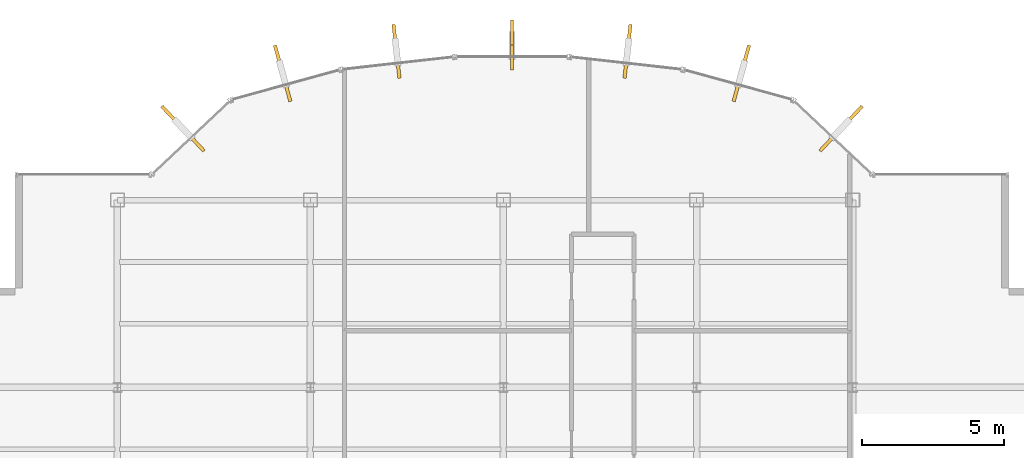
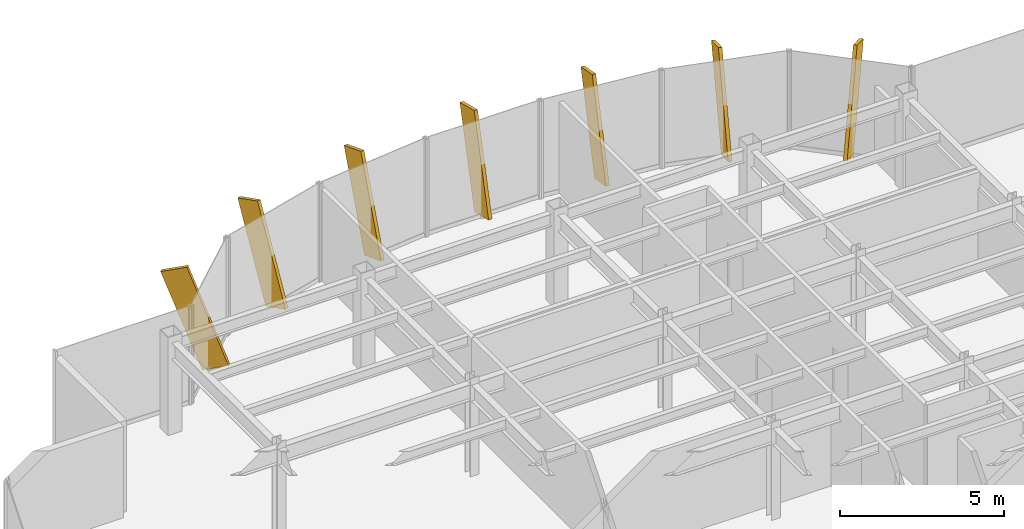
# One storey, part 21 of 22: 7 shading devices.
"""IFC4 building model written with IfcOpenShell, lengths in metres."""

from ifc_helpers import new_model, si_unit, derived_unit, direction, frame, origin, origin_2d, place, context, subcontext, project, spatial, rectangle, extrude, source, transform, mapped, material, type_object, element, save


model = new_model("IFC4")

# Units and contexts
model_context = context("Model", 3, precision=1e-05, world=origin(), true_north=direction((0.0, 1.0)))
body_context = subcontext(model_context, "Body", "Model", "MODEL_VIEW")
ifc_project = project(units=[si_unit("LENGTHUNIT", "METRE"), si_unit("AREAUNIT", "SQUARE_METRE"), si_unit("VOLUMEUNIT", "CUBIC_METRE"), si_unit("PLANEANGLEUNIT", "RADIAN"), si_unit("MASSUNIT", "GRAM", prefix="KILO"), derived_unit("THERMALTRANSMITTANCEUNIT", [(si_unit("POWERUNIT", "WATT"), 1), (si_unit("LENGTHUNIT", "METRE"), -2), (si_unit("THERMODYNAMICTEMPERATUREUNIT", "KELVIN"), -1)])], contexts=[model_context])

# Site, building, storey
site_placement = place(None, origin())
site = spatial("IfcSite", under=ifc_project, at=site_placement, CompositionType="ELEMENT")
building_placement = place(site_placement, origin())
building = spatial("IfcBuilding", under=site, at=building_placement, Name="Skarnbrae Concourse Arena and Tower", CompositionType="ELEMENT")
storey_placement = place(building_placement, frame((0.0, 0.0, 195.89990234375)))
storey = spatial("IfcBuildingStorey", under=building, at=storey_placement, Name="L50", CompositionType="ELEMENT", Elevation=195.89990234375)

# Shading devices
ifc_material = material(Name="Bronze anodised aluminium 6063-T6", Category="aluminium")
shading_device_type = type_object("IfcShadingDeviceType", Name="SHD-BRONZE-FIN-900", PredefinedType="USERDEFINED", material=ifc_material)
shared_shape = source(origin(), body_context, "Body", "SweptSolid", [
    extrude(rectangle(XDim=0.1201171875, YDim=0.89990234375, at=origin_2d()), origin(), (0.0, 0.0, 1.0), 3.64990234375),
])
for number, where, z_axis, x_axis, name in (
    (1, (32.63720703125, 36.435302734375, 0.12548828125), (0.249654525872, 0.265205022033, 0.931310320999), (0.728131751529, -0.685437198009, 0.0), "L50 Outward-leaning bronze shading fin 08"),
    (2, (29.419921875, 38.288330078125, 0.1015625), (0.087333025047, 0.316887720193, 0.944433753911), (0.964058316208, -0.265690728011, 0.0), "L50 Outward-leaning bronze shading fin 09"),
    (3, (25.51025390625, 39.12060546875, 0.076416015625), (0.031877702712, 0.284240906458, 0.95822279203), (0.993769864509, -0.111451587667, 0.0), "L50 Outward-leaning bronze shading fin 10"),
    (4, (21.5, 39.42529296875, 0.054443359375), (0.0, 0.2419218956, 0.970295726276), (1.0, 0.0, 0.0), "L50 Outward-leaning bronze shading fin 11"),
    (5, (17.48974609375, 39.12060546875, 0.076416015625), (-0.031877702712, 0.284240906458, 0.95822279203), (0.993769864509, 0.111451587667, 0.0), "L50 Outward-leaning bronze shading fin 12"),
    (6, (13.580078125, 38.288330078125, 0.1015625), (-0.087333025047, 0.316887720193, 0.944433753911), (0.964058316208, 0.265690728011, 0.0), "L50 Outward-leaning bronze shading fin 13"),
    (7, (10.36279296875, 36.435302734375, 0.12548828125), (-0.249654525872, 0.265205022033, 0.931310320999), (0.728131751529, 0.685437198009, 0.0), "L50 Outward-leaning bronze shading fin 14"),
):
    element("IfcShadingDevice", number, at=place(storey_placement, frame(where, z_axis=z_axis, x_axis=x_axis)), inside=storey, type_object=shading_device_type, Name=name, ObjectType="FIN", PredefinedType="USERDEFINED", context=body_context, shape_type="MappedRepresentation", body=[
        mapped(shared_shape, transform((0.0, 0.0, 0.0))),
    ])

save(model, "model.ifc")
